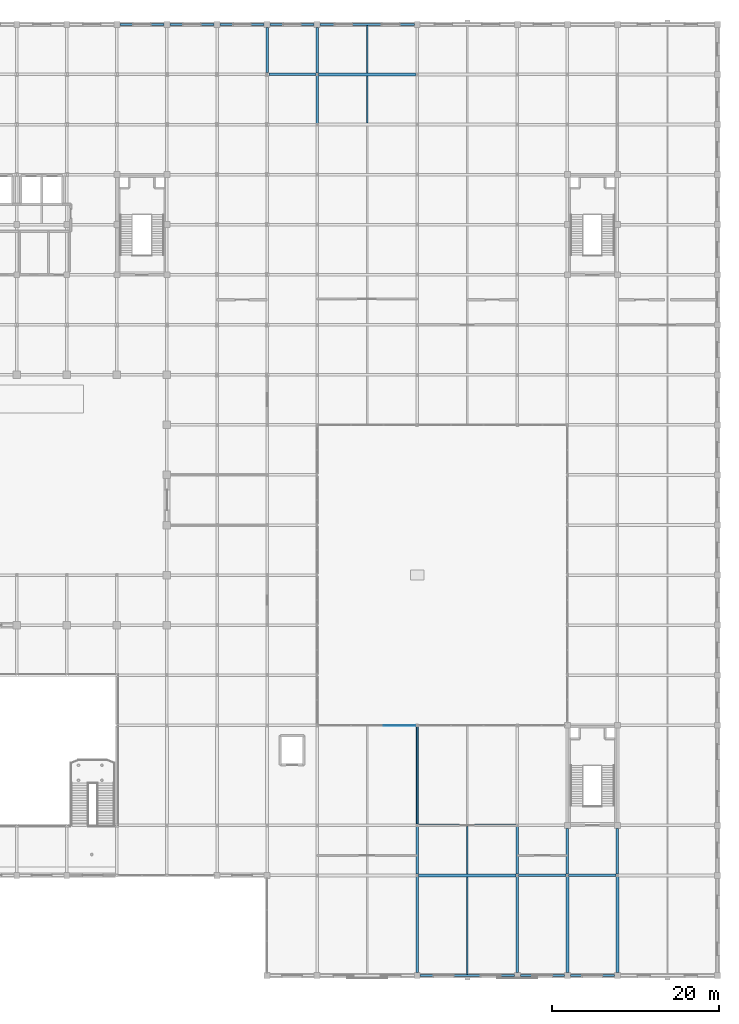
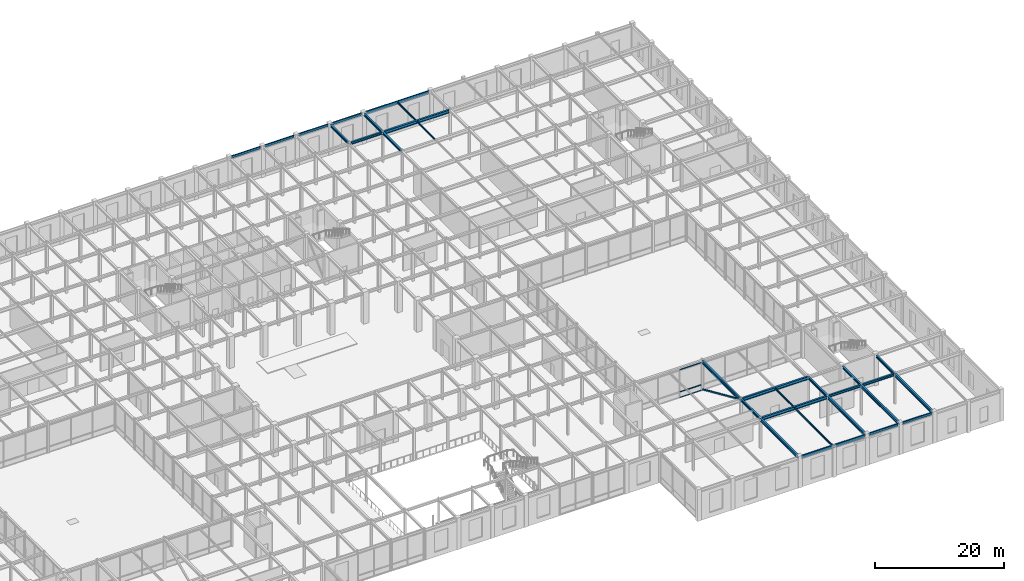
# One storey, part 79 of 108: 30 beams, 4 members, 1 element without a shape of its own.
"""IFC4 building model written with IfcOpenShell, lengths in metres."""

from ifc_helpers import new_model, si_unit, direction, frame, origin, origin_2d, place, context, subcontext, project, spatial, hollow_rectangle, i_section, extrude, material, layer, layer_set, material_profile, profile_set, type_object, element, aggregate, save


model = new_model("IFC4")

# Units and contexts
model_context = context("Model", 3, precision=1e-05, world=origin(), true_north=direction((0.0, 1.0)))
body_context = subcontext(model_context, "Body", "Model", "MODEL_VIEW")
ifc_project = project(units=[si_unit("LENGTHUNIT", "METRE"), si_unit("AREAUNIT", "SQUARE_METRE"), si_unit("VOLUMEUNIT", "CUBIC_METRE"), si_unit("PLANEANGLEUNIT", "RADIAN"), si_unit("MASSUNIT", "GRAM", prefix="KILO")], contexts=[model_context])

# Site, building, storey
site_placement = place(None, origin())
site = spatial("IfcSite", under=ifc_project, at=site_placement, CompositionType="ELEMENT")
building_placement = place(site_placement, origin())
building = spatial("IfcBuilding", under=site, at=building_placement, Name="Zlatovratsky Civic Hall", CompositionType="ELEMENT")
storey_placement = place(building_placement, frame((0.0, 0.0, 6.0)))
storey = spatial("IfcBuildingStorey", under=building, at=storey_placement, Name="L02", CompositionType="ELEMENT", Elevation=6.0)

# Beams
ifc_material_1 = material(Name="Steel S355", Category="steel")
ifc_material_profile_1 = material_profile(ifc_material_1, i_section(OverallWidth=0.320068359375, OverallDepth=0.58203125, WebThickness=0.011962890625, FlangeThickness=0.01708984375, FilletRadius=0.02392578125, at=origin_2d()), Name="60Sh1")
ifc_profile_set_1 = profile_set([ifc_material_profile_1], Name="Steel S355")
beam_type_1 = type_object("IfcBeamType", Name="Beam_PodiumGirder_60Sh1", PredefinedType="BEAM", material=ifc_profile_set_1)
for number, where, z_axis, x_axis, name in (
    (1, (132.14990234375, 12.0, 5.468994140625), (1.0, 0.0, 0.0), (0.0, 1.0, 0.0), "BM-1757"),
    (2, (132.14990234375, 18.0, 5.468994140625), (1.0, 0.0, 0.0), (0.0, 1.0, 0.0), "BM-1779"),
    (3, (120.14990234375, 108.0, 5.468994140625), (1.0, 0.0, 0.0), (0.0, 1.0, 0.0), "BM-2030"),
):
    element("IfcBeam", number, at=place(storey_placement, frame(where, z_axis=z_axis, x_axis=x_axis)), inside=storey, type_object=beam_type_1, Name=name, PredefinedType="BEAM", context=body_context, shape_type="SweptSolid", body=[
        extrude(i_section(OverallWidth=0.320068359375, OverallDepth=0.58203125, WebThickness=0.011962890625, FlangeThickness=0.01708984375, FilletRadius=0.02392578125, at=origin_2d()), origin(), (0.0, 0.0, 1.0), 11.7001953125),
    ])
beam_1_placement = place(storey_placement, frame((132.0, 0.35009765625, 5.468994140625), z_axis=(0.0, 1.0, 0.0), x_axis=(-1.0, 0.0, 0.0)))
element("IfcBeam", 4, at=beam_1_placement, inside=storey, type_object=beam_type_1, Name="BM-2316", PredefinedType="BEAM", context=body_context, shape_type="SweptSolid", body=[
    extrude(i_section(OverallWidth=0.320068359375, OverallDepth=0.58203125, WebThickness=0.011962890625, FlangeThickness=0.01708984375, FilletRadius=0.02392578125, at=origin_2d()), origin(), (0.0, 0.0, 1.0), 11.5),
])
beam_2_placement = place(storey_placement, frame((132.0, 18.14990234375, 5.468994140625), z_axis=(0.0, 1.0, 0.0), x_axis=(-1.0, 0.0, 0.0)))
element("IfcBeam", 5, at=beam_2_placement, inside=storey, type_object=beam_type_1, Name="BM-2318", PredefinedType="BEAM", context=body_context, shape_type="SweptSolid", body=[
    extrude(i_section(OverallWidth=0.320068359375, OverallDepth=0.58203125, WebThickness=0.011962890625, FlangeThickness=0.01708984375, FilletRadius=0.02392578125, at=origin_2d()), origin(), (0.0, 0.0, 1.0), 11.7001953125),
])
for number, where, z_axis, x_axis, name in (
    (6, (144.0, 0.35009765625, 5.468994140625), (0.0, 1.0, 0.0), (-1.0, 0.0, 0.0), "BM-2327"),
    (7, (150.0, 0.35009765625, 5.468994140625), (0.0, 1.0, 0.0), (-1.0, 0.0, 0.0), "BM-2338"),
    (8, (156.0, 0.35009765625, 5.468994140625), (0.0, 1.0, 0.0), (-1.0, 0.0, 0.0), "BM-2355"),
):
    element("IfcBeam", number, at=place(storey_placement, frame(where, z_axis=z_axis, x_axis=x_axis)), inside=storey, type_object=beam_type_1, Name=name, PredefinedType="BEAM", context=body_context, shape_type="SweptSolid", body=[
        extrude(i_section(OverallWidth=0.320068359375, OverallDepth=0.58203125, WebThickness=0.011962890625, FlangeThickness=0.01708984375, FilletRadius=0.02392578125, at=origin_2d()), origin(), (0.0, 0.0, 1.0), 11.5),
    ])
ifc_material_profile_2 = material_profile(ifc_material_1, i_section(OverallWidth=0.198974609375, OverallDepth=0.491943359375, WebThickness=0.0087890625, FlangeThickness=0.011962890625, FilletRadius=0.01611328125, at=origin_2d()), Name="50B1")
ifc_profile_set_2 = profile_set([ifc_material_profile_2], Name="Steel S355")
beam_type_2 = type_object("IfcBeamType", Name="Beam_Spandrel_50B1", PredefinedType="SPANDREL", material=ifc_profile_set_2)
for number, where, z_axis, x_axis, name in (
    (9, (144.35009765625, 0.0, 5.513916015625), (1.0, 0.0, 0.0), (0.0, 1.0, 0.0), "BM-1736"),
    (10, (150.35009765625, 0.0, 5.513916015625), (1.0, 0.0, 0.0), (0.0, 1.0, 0.0), "BM-1737"),
    (11, (96.35009765625, 114.0, 5.513916015625), (1.0, 0.0, 0.0), (0.0, 1.0, 0.0), "BM-2048"),
    (12, (102.35009765625, 114.0, 5.513916015625), (1.0, 0.0, 0.0), (0.0, 1.0, 0.0), "BM-2049"),
    (13, (108.35009765625, 114.0, 5.513916015625), (1.0, 0.0, 0.0), (0.0, 1.0, 0.0), "BM-2050"),
    (14, (114.35009765625, 114.0, 5.513916015625), (1.0, 0.0, 0.0), (0.0, 1.0, 0.0), "BM-2051"),
):
    element("IfcBeam", number, at=place(storey_placement, frame(where, z_axis=z_axis, x_axis=x_axis)), inside=storey, type_object=beam_type_2, Name=name, PredefinedType="SPANDREL", context=body_context, shape_type="SweptSolid", body=[
        extrude(i_section(OverallWidth=0.198974609375, OverallDepth=0.491943359375, WebThickness=0.0087890625, FlangeThickness=0.011962890625, FilletRadius=0.01611328125, at=origin_2d()), origin(), (0.0, 0.0, 1.0), 5.2998046875),
    ])
ifc_material_profile_3 = material_profile(ifc_material_1, i_section(OverallWidth=0.198974609375, OverallDepth=0.593017578125, WebThickness=0.010498046875, FlangeThickness=0.014892578125, FilletRadius=0.01806640625, at=origin_2d()), Name="60B1")
ifc_profile_set_3 = profile_set([ifc_material_profile_3], Name="Steel S355")
beam_type_3 = type_object("IfcBeamType", Name="Beam_Spandrel_60B1", PredefinedType="SPANDREL", material=ifc_profile_set_3)
for number, where, z_axis, x_axis, name in (
    (15, (132.35009765625, 0.0, 5.46337890625), (1.0, 0.0, 0.0), (0.0, 1.0, 0.0), "BM-1735"),
    (16, (120.35009765625, 114.0, 5.46337890625), (1.0, 0.0, 0.0), (0.0, 1.0, 0.0), "BM-2052"),
):
    element("IfcBeam", number, at=place(storey_placement, frame(where, z_axis=z_axis, x_axis=x_axis)), inside=storey, type_object=beam_type_3, Name=name, PredefinedType="SPANDREL", context=body_context, shape_type="SweptSolid", body=[
        extrude(i_section(OverallWidth=0.198974609375, OverallDepth=0.593017578125, WebThickness=0.010498046875, FlangeThickness=0.014892578125, FilletRadius=0.01806640625, at=origin_2d()), origin(), (0.0, 0.0, 1.0), 11.2998046875),
    ])
ifc_material_profile_4 = material_profile(ifc_material_1, i_section(OverallWidth=0.300048828125, OverallDepth=0.43994140625, WebThickness=0.010986328125, FlangeThickness=0.01806640625, FilletRadius=0.02197265625, at=origin_2d()), Name="45Sh1")
ifc_profile_set_4 = profile_set([ifc_material_profile_4], Name="Steel S355")
beam_type_4 = type_object("IfcBeamType", Name="Beam_TowerLow_45Sh1", PredefinedType="BEAM", material=ifc_profile_set_4)
for number, where, z_axis, x_axis, name in (
    (17, (144.14990234375, 12.0, 5.5400390625), (1.0, 0.0, 0.0), (0.0, 1.0, 0.0), "BM-1758"),
    (18, (150.14990234375, 12.0, 5.5400390625), (1.0, 0.0, 0.0), (0.0, 1.0, 0.0), "BM-1759"),
):
    element("IfcBeam", number, at=place(storey_placement, frame(where, z_axis=z_axis, x_axis=x_axis)), inside=storey, type_object=beam_type_4, Name=name, PredefinedType="BEAM", context=body_context, shape_type="SweptSolid", body=[
        extrude(i_section(OverallWidth=0.300048828125, OverallDepth=0.43994140625, WebThickness=0.010986328125, FlangeThickness=0.01806640625, FilletRadius=0.02197265625, at=origin_2d()), origin(), (0.0, 0.0, 1.0), 5.7001953125),
    ])
beam_3_placement = place(storey_placement, frame((114.202392578125, 108.0, 5.5400390625), z_axis=(1.0, 0.0, 0.0), x_axis=(0.0, 1.0, 0.0)))
element("IfcBeam", 19, at=beam_3_placement, inside=storey, type_object=beam_type_4, Name="BM-2029", PredefinedType="BEAM", context=body_context, shape_type="SweptSolid", body=[
    extrude(i_section(OverallWidth=0.300048828125, OverallDepth=0.43994140625, WebThickness=0.010986328125, FlangeThickness=0.01806640625, FilletRadius=0.02197265625, at=origin_2d()), origin(), (0.0, 0.0, 1.0), 5.647705078125),
])
beam_4_placement = place(storey_placement, frame((114.0, 108.208984375, 5.5400390625), z_axis=(0.0, 1.0, 0.0), x_axis=(-1.0, 0.0, 0.0)))
element("IfcBeam", 20, at=beam_4_placement, inside=storey, type_object=beam_type_4, Name="BM-2298", PredefinedType="BEAM", context=body_context, shape_type="SweptSolid", body=[
    extrude(i_section(OverallWidth=0.300048828125, OverallDepth=0.43994140625, WebThickness=0.010986328125, FlangeThickness=0.01806640625, FilletRadius=0.02197265625, at=origin_2d()), origin(), (0.0, 0.0, 1.0), 5.44091796875),
])
beam_5_placement = place(storey_placement, frame((120.0, 102.14990234375, 5.5400390625), z_axis=(0.0, 1.0, 0.0), x_axis=(-1.0, 0.0, 0.0)))
element("IfcBeam", 21, at=beam_5_placement, inside=storey, type_object=beam_type_4, Name="BM-2314", PredefinedType="BEAM", context=body_context, shape_type="SweptSolid", body=[
    extrude(i_section(OverallWidth=0.300048828125, OverallDepth=0.43994140625, WebThickness=0.010986328125, FlangeThickness=0.01806640625, FilletRadius=0.02197265625, at=origin_2d()), origin(), (0.0, 0.0, 1.0), 5.7001953125),
])
beam_6_placement = place(storey_placement, frame((120.0, 108.14990234375, 5.5400390625), z_axis=(0.0, 1.0, 0.0), x_axis=(-1.0, 0.0, 0.0)))
element("IfcBeam", 22, at=beam_6_placement, inside=storey, type_object=beam_type_4, Name="BM-2315", PredefinedType="BEAM", context=body_context, shape_type="SweptSolid", body=[
    extrude(i_section(OverallWidth=0.300048828125, OverallDepth=0.43994140625, WebThickness=0.010986328125, FlangeThickness=0.01806640625, FilletRadius=0.02197265625, at=origin_2d()), origin(), (0.0, 0.0, 1.0), 5.5),
])
for number, where, z_axis, x_axis, name in (
    (23, (132.0, 12.14990234375, 5.5400390625), (0.0, 1.0, 0.0), (-1.0, 0.0, 0.0), "BM-2317"),
    (24, (144.0, 12.14990234375, 5.5400390625), (0.0, 1.0, 0.0), (-1.0, 0.0, 0.0), "BM-2328"),
):
    element("IfcBeam", number, at=place(storey_placement, frame(where, z_axis=z_axis, x_axis=x_axis)), inside=storey, type_object=beam_type_4, Name=name, PredefinedType="BEAM", context=body_context, shape_type="SweptSolid", body=[
        extrude(i_section(OverallWidth=0.300048828125, OverallDepth=0.43994140625, WebThickness=0.010986328125, FlangeThickness=0.01806640625, FilletRadius=0.02197265625, at=origin_2d()), origin(), (0.0, 0.0, 1.0), 5.7001953125),
    ])
for number, where, z_axis, x_axis, name in (
    (25, (150.0, 12.14990234375, 5.5400390625), (0.0, 1.0, 0.0), (-1.0, 0.0, 0.0), "BM-2339"),
    (26, (156.0, 12.14990234375, 5.5400390625), (0.0, 1.0, 0.0), (-1.0, 0.0, 0.0), "BM-2356"),
):
    element("IfcBeam", number, at=place(storey_placement, frame(where, z_axis=z_axis, x_axis=x_axis)), inside=storey, type_object=beam_type_4, Name=name, PredefinedType="BEAM", context=body_context, shape_type="SweptSolid", body=[
        extrude(i_section(OverallWidth=0.300048828125, OverallDepth=0.43994140625, WebThickness=0.010986328125, FlangeThickness=0.01806640625, FilletRadius=0.02197265625, at=origin_2d()), origin(), (0.0, 0.0, 1.0), 5.5),
    ])

# Member
ifc_material_profile_5 = material_profile(ifc_material_1, hollow_rectangle(XDim=0.219970703125, YDim=0.219970703125, WallThickness=0.010009765625, at=origin_2d()), Name="SHS 220x220x10")
ifc_profile_set_5 = profile_set([ifc_material_profile_5], Name="Steel S355")
member_type_1 = type_object("IfcMemberType", Name="Brace_Podium_SHS220", PredefinedType="BRACE", material=ifc_profile_set_5)
member_1_placement = place(storey_placement, frame((132.0, 18.14990234375, 5.449951171875), z_axis=(0.0, 0.913815480127, -0.406129620049), x_axis=(-1.0, 0.0, 0.0)))
element("IfcMember", 27, at=member_1_placement, inside=storey, type_object=member_type_1, Name="MB-0105", PredefinedType="BRACE", context=body_context, shape_type="SweptSolid", body=[
    extrude(hollow_rectangle(XDim=0.219970703125, YDim=0.219970703125, WallThickness=0.010009765625, at=origin_2d()), origin(), (0.0, 0.0, 1.0), 12.8037109375),
])

# Curtain wall, members
ifc_material_2 = material(Name="Anodised bronze aluminium", Category="aluminium")
ifc_layer = layer(ifc_material_2, 0.159912109375)
ifc_layer_set = layer_set([ifc_layer], Name="Anodised bronze aluminium")
curtain_wall_type = type_object("IfcCurtainWallType", Name="CurtainWall_Bronze_11700x5310_05", PredefinedType="NOTDEFINED", material=ifc_layer_set)
curtain_wall_placement = place(storey_placement, origin())
curtain_wall = element("IfcCurtainWall", 28, at=curtain_wall_placement, inside=storey, type_object=curtain_wall_type, Name="CW-027", PredefinedType="NOTDEFINED")
ifc_material_profile_6 = material_profile(ifc_material_2, hollow_rectangle(XDim=0.06005859375, YDim=0.139892578125, WallThickness=0.00390625, at=origin_2d()), Name="ALU 60x140x4")
ifc_profile_set_6 = profile_set([ifc_material_profile_6], Name="Anodised bronze aluminium")
member_type_2 = type_object("IfcMemberType", Name="CW_Transom_60x140", PredefinedType="USERDEFINED", material=ifc_profile_set_6)
member_2_placement = place(storey_placement, frame((127.97998046875, 30.0, 0.030029296875), z_axis=(1.0, 0.0, 0.0), x_axis=(0.0, 1.0, 0.0)))
member_2 = element("IfcMember", 29, at=member_2_placement, type_object=member_type_2, Name="CW-05 transom 3.1", ObjectType="TRANSOM", PredefinedType="USERDEFINED", context=body_context, shape_type="SweptSolid", body=[
    extrude(hollow_rectangle(XDim=0.06005859375, YDim=0.139892578125, WallThickness=0.00390625, at=origin_2d()), origin(), (0.0, 0.0, 1.0), 3.81005859375),
])
member_3_placement = place(storey_placement, frame((127.97998046875, 30.0, 1.10009765625), z_axis=(1.0, 0.0, 0.0), x_axis=(0.0, 1.0, 0.0)))
member_3 = element("IfcMember", 30, at=member_3_placement, type_object=member_type_2, Name="CW-05 transom 3.2", ObjectType="TRANSOM", PredefinedType="USERDEFINED", context=body_context, shape_type="SweptSolid", body=[
    extrude(hollow_rectangle(XDim=0.06005859375, YDim=0.139892578125, WallThickness=0.00390625, at=origin_2d()), origin(), (0.0, 0.0, 1.0), 3.81005859375),
])
member_4_placement = place(storey_placement, frame((127.97998046875, 30.0, 5.280029296875), z_axis=(1.0, 0.0, 0.0), x_axis=(0.0, 1.0, 0.0)))
member_4 = element("IfcMember", 31, at=member_4_placement, type_object=member_type_2, Name="CW-05 transom 3.3", ObjectType="TRANSOM", PredefinedType="USERDEFINED", context=body_context, shape_type="SweptSolid", body=[
    extrude(hollow_rectangle(XDim=0.06005859375, YDim=0.139892578125, WallThickness=0.00390625, at=origin_2d()), origin(), (0.0, 0.0, 1.0), 3.81005859375),
])
aggregate(curtain_wall, [member_2, member_3, member_4])

# Beams
ifc_material_profile_7 = material_profile(ifc_material_1, i_section(OverallWidth=0.14990234375, OverallDepth=0.300048828125, WebThickness=0.006591796875, FlangeThickness=0.009033203125, FilletRadius=0.012939453125, at=origin_2d()), Name="30B2")
ifc_profile_set_7 = profile_set([ifc_material_profile_7], Name="Steel S355")
beam_type_5 = type_object("IfcBeamType", Name="Joist_Podium_30B2", PredefinedType="JOIST", material=ifc_profile_set_7)
for number, where, z_axis, x_axis, name in (
    (32, (138.0, 12.159912109375, 5.610107421875), (0.0, 1.0, 0.0), (-1.0, 0.0, 0.0), "BM-2399"),
    (33, (126.0, 102.159912109375, 5.610107421875), (0.0, 1.0, 0.0), (-1.0, 0.0, 0.0), "BM-2460"),
):
    element("IfcBeam", number, at=place(storey_placement, frame(where, z_axis=z_axis, x_axis=x_axis)), inside=storey, type_object=beam_type_5, Name=name, PredefinedType="JOIST", context=body_context, shape_type="SweptSolid", body=[
        extrude(i_section(OverallWidth=0.14990234375, OverallDepth=0.300048828125, WebThickness=0.006591796875, FlangeThickness=0.009033203125, FilletRadius=0.012939453125, at=origin_2d()), origin(), (0.0, 0.0, 1.0), 5.68017578125),
    ])
beam_7_placement = place(storey_placement, frame((126.0, 108.159912109375, 5.610107421875), z_axis=(0.0, 1.0, 0.0), x_axis=(-1.0, 0.0, 0.0)))
element("IfcBeam", 34, at=beam_7_placement, inside=storey, type_object=beam_type_5, Name="BM-2466", PredefinedType="JOIST", context=body_context, shape_type="SweptSolid", body=[
    extrude(i_section(OverallWidth=0.14990234375, OverallDepth=0.300048828125, WebThickness=0.006591796875, FlangeThickness=0.009033203125, FilletRadius=0.012939453125, at=origin_2d()), origin(), (0.0, 0.0, 1.0), 5.740478515625),
])
ifc_material_profile_8 = material_profile(ifc_material_1, i_section(OverallWidth=0.155029296875, OverallDepth=0.345947265625, WebThickness=0.006103515625, FlangeThickness=0.008544921875, FilletRadius=0.013916015625, at=origin_2d()), Name="35B1")
ifc_profile_set_8 = profile_set([ifc_material_profile_8], Name="Steel S355")
beam_type_6 = type_object("IfcBeamType", Name="Joist_Podium_35B1", PredefinedType="JOIST", material=ifc_profile_set_8)
beam_8_placement = place(storey_placement, frame((138.0, 0.099609375, 5.5869140625), z_axis=(0.0, 1.0, 0.0), x_axis=(-1.0, 0.0, 0.0)))
element("IfcBeam", 35, at=beam_8_placement, inside=storey, type_object=beam_type_6, Name="BM-2393", PredefinedType="JOIST", context=body_context, shape_type="SweptSolid", body=[
    extrude(i_section(OverallWidth=0.155029296875, OverallDepth=0.345947265625, WebThickness=0.006103515625, FlangeThickness=0.008544921875, FilletRadius=0.013916015625, at=origin_2d()), origin(), (0.0, 0.0, 1.0), 11.740478515625),
])

save(model, "model.ifc")
